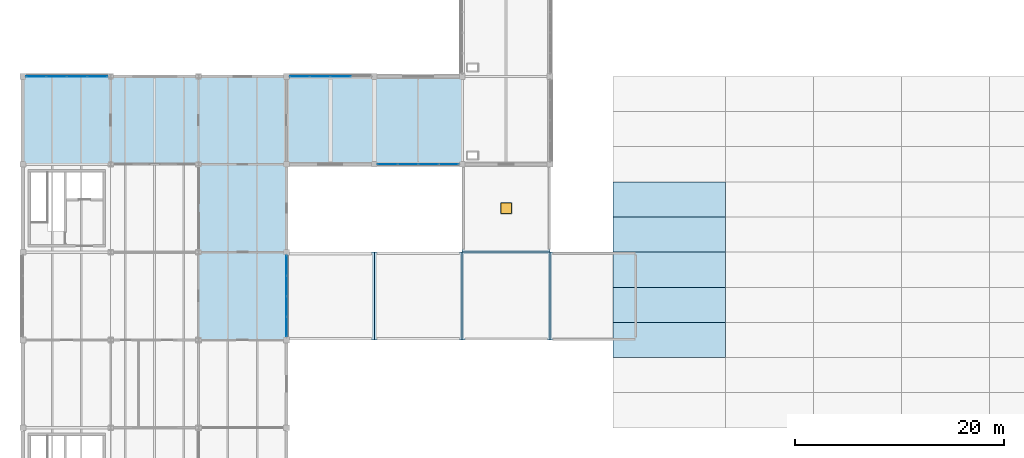
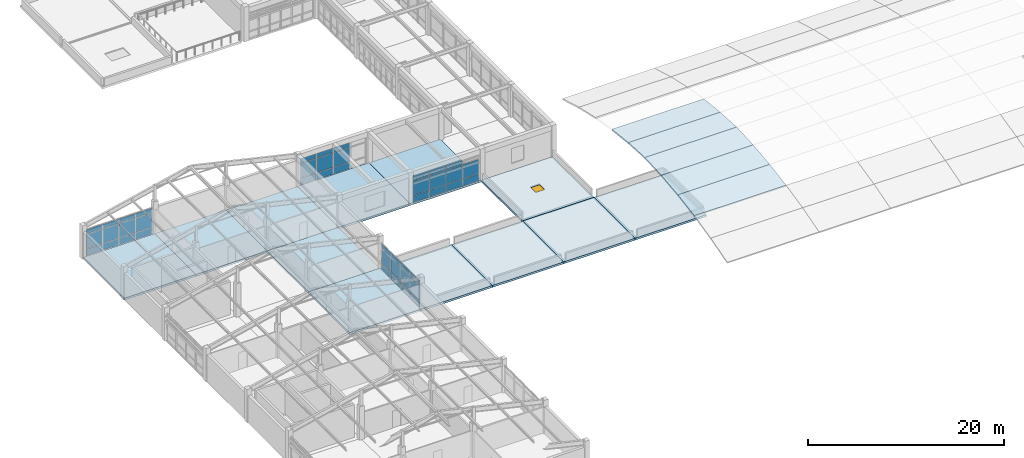
# One storey, part 21 of 40: 44 plates, 17 slabs, 1 window, 1 opening, 4 elements without a shape of their own.
"""IFC4 building model written with IfcOpenShell, lengths in metres."""

from ifc_helpers import new_model, si_unit, direction, frame, origin, origin_2d, place, context, subcontext, project, spatial, polyline, rectangle, outline, extrude, material, layer, layer_set, type_object, element, fill, aggregate, save


model = new_model("IFC4")

# Units and contexts
model_context = context("Model", 3, precision=1e-05, world=origin(), true_north=direction((0.0, 1.0)))
body_context = subcontext(model_context, "Body", "Model", "MODEL_VIEW")
ifc_project = project(units=[si_unit("LENGTHUNIT", "METRE"), si_unit("AREAUNIT", "SQUARE_METRE"), si_unit("VOLUMEUNIT", "CUBIC_METRE"), si_unit("PLANEANGLEUNIT", "RADIAN"), si_unit("MASSUNIT", "GRAM", prefix="KILO")], contexts=[model_context])

# Site, building, storey
site_placement = place(None, origin())
site = spatial("IfcSite", under=ifc_project, at=site_placement, CompositionType="ELEMENT")
building_placement = place(site_placement, origin())
building = spatial("IfcBuilding", under=site, at=building_placement, Name="Porcellanite Civic Hall", CompositionType="ELEMENT")
storey_placement = place(building_placement, frame((0.0, 0.0, 19.080078125)))
storey = spatial("IfcBuildingStorey", under=building, at=storey_placement, Name="L04", CompositionType="ELEMENT", Elevation=19.080078125)

# Curtain wall, plates
ifc_material_1 = material(Name="Anodised aluminium and solar laminated glass", Category="aluminium")
ifc_layer_1 = layer(ifc_material_1, 0.179931640625)
ifc_layer_set_1 = layer_set([ifc_layer_1], Name="Anodised aluminium and solar laminated glass")
curtain_wall_type_1 = type_object("IfcCurtainWallType", Name="CW-SYS05", PredefinedType="NOTDEFINED", material=ifc_layer_set_1)
curtain_wall_1_placement = place(storey_placement, origin())
curtain_wall_1 = element("IfcCurtainWall", 1, at=curtain_wall_1_placement, inside=storey, type_object=curtain_wall_type_1, Name="Curtain wall CW-231", PredefinedType="NOTDEFINED")
ifc_material_2 = material(Name="Cyclone laminated solar-control low-E glass", Category="glass")
ifc_layer_2 = layer(ifc_material_2, 0.028076171875)
ifc_layer_set_2 = layer_set([ifc_layer_2], Name="Cyclone laminated solar-control low-E glass")
plate_type_1 = type_object("IfcPlateType", Name="CWP-03", PredefinedType="CURTAIN_PANEL", material=ifc_layer_set_2)
plate_1_placement = place(storey_placement, frame((9.674560546875, 75.60009765625, 0.059814453125), z_axis=(0.0, 0.0, 1.0), x_axis=(1.0, 0.0, 0.0)))
plate_1 = element("IfcPlate", 2, at=plate_1_placement, type_object=plate_type_1, Name="CW-231 panel 1.1", PredefinedType="CURTAIN_PANEL", context=body_context, shape_type="SweptSolid", body=[
    extrude(rectangle(XDim=1.85693359375, YDim=0.028076171875, at=origin_2d()), origin(), (0.0, 0.0, 1.0), 0.81005859375),
])
plate_2_placement = place(storey_placement, frame((9.674560546875, 75.60009765625, 0.9296875), z_axis=(0.0, 0.0, 1.0), x_axis=(1.0, 0.0, 0.0)))
plate_2 = element("IfcPlate", 3, at=plate_2_placement, type_object=plate_type_1, Name="CW-231 panel 1.2", PredefinedType="CURTAIN_PANEL", context=body_context, shape_type="SweptSolid", body=[
    extrude(rectangle(XDim=1.85693359375, YDim=0.028076171875, at=origin_2d()), origin(), (0.0, 0.0, 1.0), 1.760009765625),
])
plate_3_placement = place(storey_placement, frame((9.674560546875, 75.60009765625, 2.75), z_axis=(0.0, 0.0, 1.0), x_axis=(1.0, 0.0, 0.0)))
plate_3 = element("IfcPlate", 4, at=plate_3_placement, type_object=plate_type_1, Name="CW-231 panel 1.3", PredefinedType="CURTAIN_PANEL", context=body_context, shape_type="SweptSolid", body=[
    extrude(rectangle(XDim=1.85693359375, YDim=0.028076171875, at=origin_2d()), origin(), (0.0, 0.0, 1.0), 0.56005859375),
])
plate_4_placement = place(storey_placement, frame((11.618896484375, 75.60009765625, 0.059814453125), z_axis=(0.0, 0.0, 1.0), x_axis=(1.0, 0.0, 0.0)))
plate_4 = element("IfcPlate", 5, at=plate_4_placement, type_object=plate_type_1, Name="CW-231 panel 2.1", PredefinedType="CURTAIN_PANEL", context=body_context, shape_type="SweptSolid", body=[
    extrude(rectangle(XDim=1.89208984375, YDim=0.028076171875, at=origin_2d()), origin(), (0.0, 0.0, 1.0), 0.81005859375),
])
plate_5_placement = place(storey_placement, frame((11.618896484375, 75.60009765625, 0.9296875), z_axis=(0.0, 0.0, 1.0), x_axis=(1.0, 0.0, 0.0)))
plate_5 = element("IfcPlate", 6, at=plate_5_placement, type_object=plate_type_1, Name="CW-231 panel 2.2", PredefinedType="CURTAIN_PANEL", context=body_context, shape_type="SweptSolid", body=[
    extrude(rectangle(XDim=1.89208984375, YDim=0.028076171875, at=origin_2d()), origin(), (0.0, 0.0, 1.0), 1.760009765625),
])
plate_6_placement = place(storey_placement, frame((11.618896484375, 75.60009765625, 2.75), z_axis=(0.0, 0.0, 1.0), x_axis=(1.0, 0.0, 0.0)))
plate_6 = element("IfcPlate", 7, at=plate_6_placement, type_object=plate_type_1, Name="CW-231 panel 2.3", PredefinedType="CURTAIN_PANEL", context=body_context, shape_type="SweptSolid", body=[
    extrude(rectangle(XDim=1.89208984375, YDim=0.028076171875, at=origin_2d()), origin(), (0.0, 0.0, 1.0), 0.56005859375),
])
plate_7_placement = place(storey_placement, frame((13.5810546875, 75.60009765625, 0.059814453125), z_axis=(0.0, 0.0, 1.0), x_axis=(1.0, 0.0, 0.0)))
plate_7 = element("IfcPlate", 8, at=plate_7_placement, type_object=plate_type_1, Name="CW-231 panel 3.1", PredefinedType="CURTAIN_PANEL", context=body_context, shape_type="SweptSolid", body=[
    extrude(rectangle(XDim=1.89208984375, YDim=0.028076171875, at=origin_2d()), origin(), (0.0, 0.0, 1.0), 0.81005859375),
])
plate_8_placement = place(storey_placement, frame((13.5810546875, 75.60009765625, 0.9296875), z_axis=(0.0, 0.0, 1.0), x_axis=(1.0, 0.0, 0.0)))
plate_8 = element("IfcPlate", 9, at=plate_8_placement, type_object=plate_type_1, Name="CW-231 panel 3.2", PredefinedType="CURTAIN_PANEL", context=body_context, shape_type="SweptSolid", body=[
    extrude(rectangle(XDim=1.89208984375, YDim=0.028076171875, at=origin_2d()), origin(), (0.0, 0.0, 1.0), 1.760009765625),
])
plate_9_placement = place(storey_placement, frame((13.5810546875, 75.60009765625, 2.75), z_axis=(0.0, 0.0, 1.0), x_axis=(1.0, 0.0, 0.0)))
plate_9 = element("IfcPlate", 10, at=plate_9_placement, type_object=plate_type_1, Name="CW-231 panel 3.3", PredefinedType="CURTAIN_PANEL", context=body_context, shape_type="SweptSolid", body=[
    extrude(rectangle(XDim=1.89208984375, YDim=0.028076171875, at=origin_2d()), origin(), (0.0, 0.0, 1.0), 0.56005859375),
])
plate_10_placement = place(storey_placement, frame((15.525390625, 75.60009765625, 0.059814453125), z_axis=(0.0, 0.0, 1.0), x_axis=(1.0, 0.0, 0.0)))
plate_10 = element("IfcPlate", 11, at=plate_10_placement, type_object=plate_type_1, Name="CW-231 panel 4.1", PredefinedType="CURTAIN_PANEL", context=body_context, shape_type="SweptSolid", body=[
    extrude(rectangle(XDim=1.85693359375, YDim=0.028076171875, at=origin_2d()), origin(), (0.0, 0.0, 1.0), 0.81005859375),
])
plate_11_placement = place(storey_placement, frame((15.525390625, 75.60009765625, 0.9296875), z_axis=(0.0, 0.0, 1.0), x_axis=(1.0, 0.0, 0.0)))
plate_11 = element("IfcPlate", 12, at=plate_11_placement, type_object=plate_type_1, Name="CW-231 panel 4.2", PredefinedType="CURTAIN_PANEL", context=body_context, shape_type="SweptSolid", body=[
    extrude(rectangle(XDim=1.85693359375, YDim=0.028076171875, at=origin_2d()), origin(), (0.0, 0.0, 1.0), 1.760009765625),
])
plate_12_placement = place(storey_placement, frame((15.525390625, 75.60009765625, 2.75), z_axis=(0.0, 0.0, 1.0), x_axis=(1.0, 0.0, 0.0)))
plate_12 = element("IfcPlate", 13, at=plate_12_placement, type_object=plate_type_1, Name="CW-231 panel 4.3", PredefinedType="CURTAIN_PANEL", context=body_context, shape_type="SweptSolid", body=[
    extrude(rectangle(XDim=1.85693359375, YDim=0.028076171875, at=origin_2d()), origin(), (0.0, 0.0, 1.0), 0.56005859375),
])
aggregate(curtain_wall_1, [plate_1, plate_2, plate_3, plate_4, plate_5, plate_6, plate_7, plate_8, plate_9, plate_10, plate_11, plate_12])

curtain_wall_2_placement = place(storey_placement, origin())
curtain_wall_2 = element("IfcCurtainWall", 14, at=curtain_wall_2_placement, inside=storey, type_object=curtain_wall_type_1, Name="Curtain wall CW-234", PredefinedType="NOTDEFINED")
plate_13_placement = place(storey_placement, frame((33.60009765625, 57.525390625, 0.059814453125), z_axis=(0.0, 0.0, 1.0), x_axis=(0.0, -1.0, 0.0)))
plate_13 = element("IfcPlate", 15, at=plate_13_placement, type_object=plate_type_1, Name="CW-234 panel 1.1", PredefinedType="CURTAIN_PANEL", context=body_context, shape_type="SweptSolid", body=[
    extrude(rectangle(XDim=1.85693359375, YDim=0.028076171875, at=origin_2d()), origin(), (0.0, 0.0, 1.0), 0.81005859375),
])
plate_14_placement = place(storey_placement, frame((33.60009765625, 57.525390625, 0.9296875), z_axis=(0.0, 0.0, 1.0), x_axis=(0.0, -1.0, 0.0)))
plate_14 = element("IfcPlate", 16, at=plate_14_placement, type_object=plate_type_1, Name="CW-234 panel 1.2", PredefinedType="CURTAIN_PANEL", context=body_context, shape_type="SweptSolid", body=[
    extrude(rectangle(XDim=1.85693359375, YDim=0.028076171875, at=origin_2d()), origin(), (0.0, 0.0, 1.0), 1.760009765625),
])
plate_15_placement = place(storey_placement, frame((33.60009765625, 57.525390625, 2.75), z_axis=(0.0, 0.0, 1.0), x_axis=(0.0, -1.0, 0.0)))
plate_15 = element("IfcPlate", 17, at=plate_15_placement, type_object=plate_type_1, Name="CW-234 panel 1.3", PredefinedType="CURTAIN_PANEL", context=body_context, shape_type="SweptSolid", body=[
    extrude(rectangle(XDim=1.85693359375, YDim=0.028076171875, at=origin_2d()), origin(), (0.0, 0.0, 1.0), 0.56005859375),
])
plate_16_placement = place(storey_placement, frame((33.60009765625, 55.5810546875, 0.059814453125), z_axis=(0.0, 0.0, 1.0), x_axis=(0.0, -1.0, 0.0)))
plate_16 = element("IfcPlate", 18, at=plate_16_placement, type_object=plate_type_1, Name="CW-234 panel 2.1", PredefinedType="CURTAIN_PANEL", context=body_context, shape_type="SweptSolid", body=[
    extrude(rectangle(XDim=1.89208984375, YDim=0.028076171875, at=origin_2d()), origin(), (0.0, 0.0, 1.0), 0.81005859375),
])
plate_17_placement = place(storey_placement, frame((33.60009765625, 55.5810546875, 0.9296875), z_axis=(0.0, 0.0, 1.0), x_axis=(0.0, -1.0, 0.0)))
plate_17 = element("IfcPlate", 19, at=plate_17_placement, type_object=plate_type_1, Name="CW-234 panel 2.2", PredefinedType="CURTAIN_PANEL", context=body_context, shape_type="SweptSolid", body=[
    extrude(rectangle(XDim=1.89208984375, YDim=0.028076171875, at=origin_2d()), origin(), (0.0, 0.0, 1.0), 1.760009765625),
])
plate_18_placement = place(storey_placement, frame((33.60009765625, 55.5810546875, 2.75), z_axis=(0.0, 0.0, 1.0), x_axis=(0.0, -1.0, 0.0)))
plate_18 = element("IfcPlate", 20, at=plate_18_placement, type_object=plate_type_1, Name="CW-234 panel 2.3", PredefinedType="CURTAIN_PANEL", context=body_context, shape_type="SweptSolid", body=[
    extrude(rectangle(XDim=1.89208984375, YDim=0.028076171875, at=origin_2d()), origin(), (0.0, 0.0, 1.0), 0.56005859375),
])
plate_19_placement = place(storey_placement, frame((33.60009765625, 53.618896484375, 0.059814453125), z_axis=(0.0, 0.0, 1.0), x_axis=(0.0, -1.0, 0.0)))
plate_19 = element("IfcPlate", 21, at=plate_19_placement, type_object=plate_type_1, Name="CW-234 panel 3.1", PredefinedType="CURTAIN_PANEL", context=body_context, shape_type="SweptSolid", body=[
    extrude(rectangle(XDim=1.89208984375, YDim=0.028076171875, at=origin_2d()), origin(), (0.0, 0.0, 1.0), 0.81005859375),
])
plate_20_placement = place(storey_placement, frame((33.60009765625, 53.618896484375, 0.9296875), z_axis=(0.0, 0.0, 1.0), x_axis=(0.0, -1.0, 0.0)))
plate_20 = element("IfcPlate", 22, at=plate_20_placement, type_object=plate_type_1, Name="CW-234 panel 3.2", PredefinedType="CURTAIN_PANEL", context=body_context, shape_type="SweptSolid", body=[
    extrude(rectangle(XDim=1.89208984375, YDim=0.028076171875, at=origin_2d()), origin(), (0.0, 0.0, 1.0), 1.760009765625),
])
plate_21_placement = place(storey_placement, frame((33.60009765625, 53.618896484375, 2.75), z_axis=(0.0, 0.0, 1.0), x_axis=(0.0, -1.0, 0.0)))
plate_21 = element("IfcPlate", 23, at=plate_21_placement, type_object=plate_type_1, Name="CW-234 panel 3.3", PredefinedType="CURTAIN_PANEL", context=body_context, shape_type="SweptSolid", body=[
    extrude(rectangle(XDim=1.89208984375, YDim=0.028076171875, at=origin_2d()), origin(), (0.0, 0.0, 1.0), 0.56005859375),
])
plate_22_placement = place(storey_placement, frame((33.60009765625, 51.674560546875, 0.059814453125), z_axis=(0.0, 0.0, 1.0), x_axis=(0.0, -1.0, 0.0)))
plate_22 = element("IfcPlate", 24, at=plate_22_placement, type_object=plate_type_1, Name="CW-234 panel 4.1", PredefinedType="CURTAIN_PANEL", context=body_context, shape_type="SweptSolid", body=[
    extrude(rectangle(XDim=1.85693359375, YDim=0.028076171875, at=origin_2d()), origin(), (0.0, 0.0, 1.0), 0.81005859375),
])
plate_23_placement = place(storey_placement, frame((33.60009765625, 51.674560546875, 0.9296875), z_axis=(0.0, 0.0, 1.0), x_axis=(0.0, -1.0, 0.0)))
plate_23 = element("IfcPlate", 25, at=plate_23_placement, type_object=plate_type_1, Name="CW-234 panel 4.2", PredefinedType="CURTAIN_PANEL", context=body_context, shape_type="SweptSolid", body=[
    extrude(rectangle(XDim=1.85693359375, YDim=0.028076171875, at=origin_2d()), origin(), (0.0, 0.0, 1.0), 1.760009765625),
])
plate_24_placement = place(storey_placement, frame((33.60009765625, 51.674560546875, 2.75), z_axis=(0.0, 0.0, 1.0), x_axis=(0.0, -1.0, 0.0)))
plate_24 = element("IfcPlate", 26, at=plate_24_placement, type_object=plate_type_1, Name="CW-234 panel 4.3", PredefinedType="CURTAIN_PANEL", context=body_context, shape_type="SweptSolid", body=[
    extrude(rectangle(XDim=1.85693359375, YDim=0.028076171875, at=origin_2d()), origin(), (0.0, 0.0, 1.0), 0.56005859375),
])
aggregate(curtain_wall_2, [plate_13, plate_14, plate_15, plate_16, plate_17, plate_18, plate_19, plate_20, plate_21, plate_22, plate_23, plate_24])

ifc_material_3 = material(Name="Anodised aluminium and solar laminated glass", Category="aluminium")
ifc_layer_3 = layer(ifc_material_3, 0.179931640625)
ifc_layer_set_3 = layer_set([ifc_layer_3], Name="Anodised aluminium and solar laminated glass")
curtain_wall_type_2 = type_object("IfcCurtainWallType", Name="CW-SYS04", PredefinedType="NOTDEFINED", material=ifc_layer_set_3)
curtain_wall_3_placement = place(storey_placement, origin())
curtain_wall_3 = element("IfcCurtainWall", 27, at=curtain_wall_3_placement, inside=storey, type_object=curtain_wall_type_2, Name="Curtain wall CW-235", PredefinedType="NOTDEFINED")
ifc_material_4 = material(Name="Cyclone laminated solar-control low-E glass", Category="glass")
ifc_layer_4 = layer(ifc_material_4, 0.033935546875)
ifc_layer_set_4 = layer_set([ifc_layer_4], Name="Cyclone laminated solar-control low-E glass")
plate_type_2 = type_object("IfcPlateType", Name="CWP-06", PredefinedType="CURTAIN_PANEL", material=ifc_layer_set_4)
plate_25_placement = place(storey_placement, frame((34.875732421875, 75.60009765625, 0.054931640625), z_axis=(0.0, 0.0, 1.0), x_axis=(1.0, 0.0, 0.0)))
plate_25 = element("IfcPlate", 28, at=plate_25_placement, type_object=plate_type_2, Name="CW-235 panel 1.1", PredefinedType="CURTAIN_PANEL", context=body_context, shape_type="SweptSolid", body=[
    extrude(rectangle(XDim=1.849609375, YDim=0.033935546875, at=origin_2d()), origin(), (0.0, 0.0, 1.0), 0.8173828125),
])
plate_26_placement = place(storey_placement, frame((34.875732421875, 75.60009765625, 0.92724609375), z_axis=(0.0, 0.0, 1.0), x_axis=(1.0, 0.0, 0.0)))
plate_26 = element("IfcPlate", 29, at=plate_26_placement, type_object=plate_type_2, Name="CW-235 panel 1.2", PredefinedType="CURTAIN_PANEL", context=body_context, shape_type="SweptSolid", body=[
    extrude(rectangle(XDim=1.849609375, YDim=0.033935546875, at=origin_2d()), origin(), (0.0, 0.0, 1.0), 1.764892578125),
])
plate_27_placement = place(storey_placement, frame((34.875732421875, 75.60009765625, 2.74755859375), z_axis=(0.0, 0.0, 1.0), x_axis=(1.0, 0.0, 0.0)))
plate_27 = element("IfcPlate", 30, at=plate_27_placement, type_object=plate_type_2, Name="CW-235 panel 1.3", PredefinedType="CURTAIN_PANEL", context=body_context, shape_type="SweptSolid", body=[
    extrude(rectangle(XDim=1.849609375, YDim=0.033935546875, at=origin_2d()), origin(), (0.0, 0.0, 1.0), 0.5673828125),
])
plate_28_placement = place(storey_placement, frame((36.819091796875, 75.60009765625, 0.054931640625), z_axis=(0.0, 0.0, 1.0), x_axis=(1.0, 0.0, 0.0)))
plate_28 = element("IfcPlate", 31, at=plate_28_placement, type_object=plate_type_2, Name="CW-235 panel 2.1", PredefinedType="CURTAIN_PANEL", context=body_context, shape_type="SweptSolid", body=[
    extrude(rectangle(XDim=1.886962890625, YDim=0.033935546875, at=origin_2d()), origin(), (0.0, 0.0, 1.0), 0.8173828125),
])
plate_29_placement = place(storey_placement, frame((36.819091796875, 75.60009765625, 0.92724609375), z_axis=(0.0, 0.0, 1.0), x_axis=(1.0, 0.0, 0.0)))
plate_29 = element("IfcPlate", 32, at=plate_29_placement, type_object=plate_type_2, Name="CW-235 panel 2.2", PredefinedType="CURTAIN_PANEL", context=body_context, shape_type="SweptSolid", body=[
    extrude(rectangle(XDim=1.886962890625, YDim=0.033935546875, at=origin_2d()), origin(), (0.0, 0.0, 1.0), 1.764892578125),
])
plate_30_placement = place(storey_placement, frame((36.819091796875, 75.60009765625, 2.74755859375), z_axis=(0.0, 0.0, 1.0), x_axis=(1.0, 0.0, 0.0)))
plate_30 = element("IfcPlate", 33, at=plate_30_placement, type_object=plate_type_2, Name="CW-235 panel 2.3", PredefinedType="CURTAIN_PANEL", context=body_context, shape_type="SweptSolid", body=[
    extrude(rectangle(XDim=1.886962890625, YDim=0.033935546875, at=origin_2d()), origin(), (0.0, 0.0, 1.0), 0.5673828125),
])
plate_31_placement = place(storey_placement, frame((38.781005859375, 75.60009765625, 0.054931640625), z_axis=(0.0, 0.0, 1.0), x_axis=(1.0, 0.0, 0.0)))
plate_31 = element("IfcPlate", 34, at=plate_31_placement, type_object=plate_type_2, Name="CW-235 panel 3.1", PredefinedType="CURTAIN_PANEL", context=body_context, shape_type="SweptSolid", body=[
    extrude(rectangle(XDim=1.886962890625, YDim=0.033935546875, at=origin_2d()), origin(), (0.0, 0.0, 1.0), 0.8173828125),
])
plate_32_placement = place(storey_placement, frame((38.781005859375, 75.60009765625, 0.92724609375), z_axis=(0.0, 0.0, 1.0), x_axis=(1.0, 0.0, 0.0)))
plate_32 = element("IfcPlate", 35, at=plate_32_placement, type_object=plate_type_2, Name="CW-235 panel 3.2", PredefinedType="CURTAIN_PANEL", context=body_context, shape_type="SweptSolid", body=[
    extrude(rectangle(XDim=1.886962890625, YDim=0.033935546875, at=origin_2d()), origin(), (0.0, 0.0, 1.0), 1.764892578125),
])
plate_33_placement = place(storey_placement, frame((38.781005859375, 75.60009765625, 2.74755859375), z_axis=(0.0, 0.0, 1.0), x_axis=(1.0, 0.0, 0.0)))
plate_33 = element("IfcPlate", 36, at=plate_33_placement, type_object=plate_type_2, Name="CW-235 panel 3.3", PredefinedType="CURTAIN_PANEL", context=body_context, shape_type="SweptSolid", body=[
    extrude(rectangle(XDim=1.886962890625, YDim=0.033935546875, at=origin_2d()), origin(), (0.0, 0.0, 1.0), 0.5673828125),
])
aggregate(curtain_wall_3, [plate_25, plate_26, plate_27, plate_28, plate_29, plate_30, plate_31, plate_32, plate_33])

ifc_material_5 = material(Name="Anodised aluminium and solar laminated glass", Category="aluminium")
ifc_layer_5 = layer(ifc_material_5, 0.179931640625)
ifc_layer_set_5 = layer_set([ifc_layer_5], Name="Anodised aluminium and solar laminated glass")
curtain_wall_type_3 = type_object("IfcCurtainWallType", Name="CW-SYS06", PredefinedType="NOTDEFINED", material=ifc_layer_set_5)
curtain_wall_4_placement = place(storey_placement, origin())
curtain_wall_4 = element("IfcCurtainWall", 37, at=curtain_wall_4_placement, inside=storey, type_object=curtain_wall_type_3, Name="Curtain wall CW-236", PredefinedType="NOTDEFINED")
ifc_material_6 = material(Name="Cyclone laminated solar-control low-E glass", Category="glass")
ifc_layer_6 = layer(ifc_material_6, 0.035888671875)
ifc_layer_set_6 = layer_set([ifc_layer_6], Name="Cyclone laminated solar-control low-E glass")
plate_type_3 = type_object("IfcPlateType", Name="CWP-07", PredefinedType="CURTAIN_PANEL", material=ifc_layer_set_6)
plate_34_placement = place(storey_placement, frame((49.126708984375, 67.199951171875, 0.0498046875), z_axis=(0.0, 0.0, 1.0), x_axis=(-1.0, 0.0, 0.0)))
plate_34 = element("IfcPlate", 38, at=plate_34_placement, type_object=plate_type_3, Name="CW-236 panel 1.1", PredefinedType="CURTAIN_PANEL", context=body_context, shape_type="SweptSolid", body=[
    extrude(rectangle(XDim=1.864501953125, YDim=0.035888671875, at=origin_2d()), origin(), (0.0, 0.0, 1.0), 0.824951171875),
])
plate_35_placement = place(storey_placement, frame((49.126708984375, 67.199951171875, 0.9248046875), z_axis=(0.0, 0.0, 1.0), x_axis=(-1.0, 0.0, 0.0)))
plate_35 = element("IfcPlate", 39, at=plate_35_placement, type_object=plate_type_3, Name="CW-236 panel 1.2", PredefinedType="CURTAIN_PANEL", context=body_context, shape_type="SweptSolid", body=[
    extrude(rectangle(XDim=1.864501953125, YDim=0.035888671875, at=origin_2d()), origin(), (0.0, 0.0, 1.0), 1.77001953125),
])
plate_36_placement = place(storey_placement, frame((47.180908203125, 67.199951171875, 0.0498046875), z_axis=(0.0, 0.0, 1.0), x_axis=(-1.0, 0.0, 0.0)))
plate_36 = element("IfcPlate", 40, at=plate_36_placement, type_object=plate_type_3, Name="CW-236 panel 2.1", PredefinedType="CURTAIN_PANEL", context=body_context, shape_type="SweptSolid", body=[
    extrude(rectangle(XDim=1.89697265625, YDim=0.035888671875, at=origin_2d()), origin(), (0.0, 0.0, 1.0), 0.824951171875),
])
plate_37_placement = place(storey_placement, frame((47.180908203125, 67.199951171875, 0.9248046875), z_axis=(0.0, 0.0, 1.0), x_axis=(-1.0, 0.0, 0.0)))
plate_37 = element("IfcPlate", 41, at=plate_37_placement, type_object=plate_type_3, Name="CW-236 panel 2.2", PredefinedType="CURTAIN_PANEL", context=body_context, shape_type="SweptSolid", body=[
    extrude(rectangle(XDim=1.89697265625, YDim=0.035888671875, at=origin_2d()), origin(), (0.0, 0.0, 1.0), 1.77001953125),
])
plate_38_placement = place(storey_placement, frame((47.180908203125, 67.199951171875, 2.7451171875), z_axis=(0.0, 0.0, 1.0), x_axis=(-1.0, 0.0, 0.0)))
plate_38 = element("IfcPlate", 42, at=plate_38_placement, type_object=plate_type_3, Name="CW-236 panel 2.3", PredefinedType="CURTAIN_PANEL", context=body_context, shape_type="SweptSolid", body=[
    extrude(rectangle(XDim=1.89697265625, YDim=0.035888671875, at=origin_2d()), origin(), (0.0, 0.0, 1.0), 0.574951171875),
])
plate_39_placement = place(storey_placement, frame((45.218994140625, 67.199951171875, 0.0498046875), z_axis=(0.0, 0.0, 1.0), x_axis=(-1.0, 0.0, 0.0)))
plate_39 = element("IfcPlate", 43, at=plate_39_placement, type_object=plate_type_3, Name="CW-236 panel 3.1", PredefinedType="CURTAIN_PANEL", context=body_context, shape_type="SweptSolid", body=[
    extrude(rectangle(XDim=1.89697265625, YDim=0.035888671875, at=origin_2d()), origin(), (0.0, 0.0, 1.0), 0.824951171875),
])
plate_40_placement = place(storey_placement, frame((45.218994140625, 67.199951171875, 0.9248046875), z_axis=(0.0, 0.0, 1.0), x_axis=(-1.0, 0.0, 0.0)))
plate_40 = element("IfcPlate", 44, at=plate_40_placement, type_object=plate_type_3, Name="CW-236 panel 3.2", PredefinedType="CURTAIN_PANEL", context=body_context, shape_type="SweptSolid", body=[
    extrude(rectangle(XDim=1.89697265625, YDim=0.035888671875, at=origin_2d()), origin(), (0.0, 0.0, 1.0), 1.77001953125),
])
plate_41_placement = place(storey_placement, frame((45.218994140625, 67.199951171875, 2.7451171875), z_axis=(0.0, 0.0, 1.0), x_axis=(-1.0, 0.0, 0.0)))
plate_41 = element("IfcPlate", 45, at=plate_41_placement, type_object=plate_type_3, Name="CW-236 panel 3.3", PredefinedType="CURTAIN_PANEL", context=body_context, shape_type="SweptSolid", body=[
    extrude(rectangle(XDim=1.89697265625, YDim=0.035888671875, at=origin_2d()), origin(), (0.0, 0.0, 1.0), 0.574951171875),
])
plate_42_placement = place(storey_placement, frame((43.273193359375, 67.199951171875, 0.0498046875), z_axis=(0.0, 0.0, 1.0), x_axis=(-1.0, 0.0, 0.0)))
plate_42 = element("IfcPlate", 46, at=plate_42_placement, type_object=plate_type_3, Name="CW-236 panel 4.1", PredefinedType="CURTAIN_PANEL", context=body_context, shape_type="SweptSolid", body=[
    extrude(rectangle(XDim=1.864501953125, YDim=0.035888671875, at=origin_2d()), origin(), (0.0, 0.0, 1.0), 0.824951171875),
])
plate_43_placement = place(storey_placement, frame((43.273193359375, 67.199951171875, 0.9248046875), z_axis=(0.0, 0.0, 1.0), x_axis=(-1.0, 0.0, 0.0)))
plate_43 = element("IfcPlate", 47, at=plate_43_placement, type_object=plate_type_3, Name="CW-236 panel 4.2", PredefinedType="CURTAIN_PANEL", context=body_context, shape_type="SweptSolid", body=[
    extrude(rectangle(XDim=1.864501953125, YDim=0.035888671875, at=origin_2d()), origin(), (0.0, 0.0, 1.0), 1.77001953125),
])
plate_44_placement = place(storey_placement, frame((43.273193359375, 67.199951171875, 2.7451171875), z_axis=(0.0, 0.0, 1.0), x_axis=(-1.0, 0.0, 0.0)))
plate_44 = element("IfcPlate", 48, at=plate_44_placement, type_object=plate_type_3, Name="CW-236 panel 4.3", PredefinedType="CURTAIN_PANEL", context=body_context, shape_type="SweptSolid", body=[
    extrude(rectangle(XDim=1.864501953125, YDim=0.035888671875, at=origin_2d()), origin(), (0.0, 0.0, 1.0), 0.574951171875),
])
aggregate(curtain_wall_4, [plate_34, plate_35, plate_36, plate_37, plate_38, plate_39, plate_40, plate_41, plate_42, plate_43, plate_44])

# Slabs
ifc_material_7 = material(Name="Concrete N40 (40 MPa)", Category="concrete")
ifc_layer_7 = layer(ifc_material_7, 0.25)
ifc_layer_set_7 = layer_set([ifc_layer_7], Name="Concrete N40 (40 MPa)")
slab_type_1 = type_object("IfcSlabType", Name="SL-FL250", PredefinedType="FLOOR", material=ifc_layer_set_7)
slab_1_placement = place(storey_placement, frame((0.0, 0.0, -0.25)))
element("IfcSlab", 49, at=slab_1_placement, inside=storey, type_object=slab_type_1, Name="Slab L04 bay 2-9", PredefinedType="FLOOR", context=body_context, shape_type="SweptSolid", body=[
    extrude(outline(polyline([(8.39990234375, 67.199951171875), (16.800048828125, 67.199951171875), (16.800048828125, 75.60009765625), (8.39990234375, 75.60009765625), (8.39990234375, 67.199951171875)])), origin(), (0.0, 0.0, 1.0), 0.25),
])
slab_2_placement = place(storey_placement, frame((0.0, 0.0, -0.25)))
element("IfcSlab", 50, at=slab_2_placement, inside=storey, type_object=slab_type_1, Name="Slab L04 bay 3-9", PredefinedType="FLOOR", context=body_context, shape_type="SweptSolid", body=[
    extrude(outline(polyline([(16.800048828125, 67.199951171875), (25.199951171875, 67.199951171875), (25.199951171875, 75.60009765625), (16.800048828125, 75.60009765625), (16.800048828125, 67.199951171875)])), origin(), (0.0, 0.0, 1.0), 0.25),
])
slab_3_placement = place(storey_placement, frame((0.0, 0.0, -0.25)))
element("IfcSlab", 51, at=slab_3_placement, inside=storey, type_object=slab_type_1, Name="Slab L04 bay 4-7", PredefinedType="FLOOR", context=body_context, shape_type="SweptSolid", body=[
    extrude(outline(polyline([(25.199951171875, 50.39990234375), (33.60009765625, 50.39990234375), (33.60009765625, 58.800048828125), (25.199951171875, 58.800048828125), (25.199951171875, 50.39990234375)])), origin(), (0.0, 0.0, 1.0), 0.25),
])
slab_4_placement = place(storey_placement, frame((0.0, 0.0, -0.25)))
element("IfcSlab", 52, at=slab_4_placement, inside=storey, type_object=slab_type_1, Name="Slab L04 bay 4-8", PredefinedType="FLOOR", context=body_context, shape_type="SweptSolid", body=[
    extrude(outline(polyline([(25.199951171875, 58.800048828125), (33.60009765625, 58.800048828125), (33.60009765625, 67.199951171875), (25.199951171875, 67.199951171875), (25.199951171875, 58.800048828125)])), origin(), (0.0, 0.0, 1.0), 0.25),
])
slab_5_placement = place(storey_placement, frame((0.0, 0.0, -0.25)))
element("IfcSlab", 53, at=slab_5_placement, inside=storey, type_object=slab_type_1, Name="Slab L04 bay 4-9", PredefinedType="FLOOR", context=body_context, shape_type="SweptSolid", body=[
    extrude(outline(polyline([(25.199951171875, 67.199951171875), (33.60009765625, 67.199951171875), (33.60009765625, 75.60009765625), (25.199951171875, 75.60009765625), (25.199951171875, 67.199951171875)])), origin(), (0.0, 0.0, 1.0), 0.25),
])
slab_6_placement = place(storey_placement, frame((0.0, 0.0, -0.25)))
element("IfcSlab", 54, at=slab_6_placement, inside=storey, type_object=slab_type_1, Name="Slab L04 bay 5-9", PredefinedType="FLOOR", context=body_context, shape_type="SweptSolid", body=[
    extrude(outline(polyline([(33.60009765625, 67.199951171875), (42.0, 67.199951171875), (42.0, 75.60009765625), (33.60009765625, 75.60009765625), (33.60009765625, 67.199951171875)])), origin(), (0.0, 0.0, 1.0), 0.25),
])
slab_7_placement = place(storey_placement, frame((0.0, 0.0, -0.25)))
element("IfcSlab", 55, at=slab_7_placement, inside=storey, type_object=slab_type_1, Name="Slab L04 bay 6-9", PredefinedType="FLOOR", context=body_context, shape_type="SweptSolid", body=[
    extrude(outline(polyline([(42.0, 67.199951171875), (50.39990234375, 67.199951171875), (50.39990234375, 75.60009765625), (42.0, 75.60009765625), (42.0, 67.199951171875)])), origin(), (0.0, 0.0, 1.0), 0.25),
])
ifc_material_8 = material(Name="Concrete N40 (40 MPa)", Category="concrete")
ifc_layer_8 = layer(ifc_material_8, 0.25)
ifc_layer_set_8 = layer_set([ifc_layer_8], Name="Concrete N40 (40 MPa)")
slab_type_2 = type_object("IfcSlabType", Name="SL-RF250", PredefinedType="ROOF", material=ifc_layer_set_8)
slab_8_placement = place(storey_placement, frame((0.0, 0.0, -0.25)))
element("IfcSlab", 56, at=slab_8_placement, inside=storey, type_object=slab_type_2, Name="Roof slab L04 5-7", PredefinedType="ROOF", context=body_context, shape_type="SweptSolid", body=[
    extrude(outline(polyline([(33.60009765625, 50.39990234375), (42.0, 50.39990234375), (42.0, 58.800048828125), (33.60009765625, 58.800048828125), (33.60009765625, 50.39990234375)])), origin(), (0.0, 0.0, 1.0), 0.25),
])
slab_9_placement = place(storey_placement, frame((0.0, 0.0, -0.25)))
element("IfcSlab", 57, at=slab_9_placement, inside=storey, type_object=slab_type_2, Name="Roof slab L04 6-7", PredefinedType="ROOF", context=body_context, shape_type="SweptSolid", body=[
    extrude(outline(polyline([(42.0, 50.39990234375), (50.39990234375, 50.39990234375), (50.39990234375, 58.800048828125), (42.0, 58.800048828125), (42.0, 50.39990234375)])), origin(), (0.0, 0.0, 1.0), 0.25),
])
slab_10_placement = place(storey_placement, frame((0.0, 0.0, -0.25)))
element("IfcSlab", 58, at=slab_10_placement, inside=storey, type_object=slab_type_2, Name="Roof slab L04 7-7", PredefinedType="ROOF", context=body_context, shape_type="SweptSolid", body=[
    extrude(outline(polyline([(50.39990234375, 50.39990234375), (58.800048828125, 50.39990234375), (58.800048828125, 58.800048828125), (50.39990234375, 58.800048828125), (50.39990234375, 50.39990234375)])), origin(), (0.0, 0.0, 1.0), 0.25),
])

# Slab, opening, window
slab_11_placement = place(storey_placement, frame((0.0, 0.0, -0.25)))
slab_11 = element("IfcSlab", 59, at=slab_11_placement, inside=storey, type_object=slab_type_2, Name="Roof slab L04 7-8", PredefinedType="ROOF", context=body_context, shape_type="SweptSolid", body=[
    extrude(outline(polyline([(50.39990234375, 58.800048828125), (58.800048828125, 58.800048828125), (58.800048828125, 67.199951171875), (50.39990234375, 67.199951171875), (50.39990234375, 58.800048828125)])), origin(), (0.0, 0.0, 1.0), 0.25),
])
opening_placement = place(slab_11_placement, frame((54.60009765625, 63.0, 0.0)))
opening = element("IfcOpeningElement", 60, at=opening_placement, cuts=slab_11, Name="Opening SK6", PredefinedType="OPENING", context=body_context, shape_type="SweptSolid", body=[
    extrude(rectangle(XDim=1.0, YDim=1.0, at=origin_2d()), origin(), (0.0, 0.0, 1.0), 0.25),
])
ifc_material_9 = material(Name="Cyclone laminated low-E glazing in anodised aluminium frame", Category="aluminium")
window_type = type_object("IfcWindowType", Name="SK-06", PartitioningType="SINGLE_PANEL", PredefinedType="SKYLIGHT", material=ifc_material_9)
window_placement = place(opening_placement, frame((0.0, 0.0, 0.199951171875)))
window = element("IfcWindow", 61, at=window_placement, inside=storey, type_object=window_type, Name="Roof skylight SK6 L04 7-8", OverallHeight=1.0, OverallWidth=1.0, PartitioningType="SINGLE_PANEL", PredefinedType="SKYLIGHT", context=body_context, shape_type="SweptSolid", body=[
    extrude(rectangle(XDim=1.0, YDim=1.0, at=origin_2d()), origin(), (0.0, 0.0, 1.0), 0.050048828125),
])
fill(opening, window)

# Slabs
slab_12_placement = place(storey_placement, frame((0.0, 0.0, -0.25)))
element("IfcSlab", 62, at=slab_12_placement, inside=storey, type_object=slab_type_2, Name="Roof slab L04 8-7", PredefinedType="ROOF", context=body_context, shape_type="SweptSolid", body=[
    extrude(outline(polyline([(58.800048828125, 50.39990234375), (67.199951171875, 50.39990234375), (67.199951171875, 58.800048828125), (58.800048828125, 58.800048828125), (58.800048828125, 50.39990234375)])), origin(), (0.0, 0.0, 1.0), 0.25),
])
ifc_material_10 = material(Name="Concrete N40 (40 MPa)", Category="concrete")
ifc_layer_9 = layer(ifc_material_10, 0.179931640625)
ifc_layer_set_9 = layer_set([ifc_layer_9], Name="Concrete N40 (40 MPa)")
slab_type_3 = type_object("IfcSlabType", Name="SL-SHELL180", PredefinedType="ROOF", material=ifc_layer_set_9)
slab_13_placement = place(storey_placement, frame((64.800048828125, 48.719970703125, 1.726806640625), z_axis=(0.0, -0.166780084987, 0.985994119278), x_axis=(1.0, 0.0, 0.0)))
element("IfcSlab", 63, at=slab_13_placement, inside=storey, type_object=slab_type_3, Name="Council Chamber concrete shell facet 8 3", PredefinedType="ROOF", context=body_context, shape_type="SweptSolid", body=[
    extrude(outline(polyline([(0.0, 0.0), (10.800048828125, 0.0), (10.800048828125, 3.407837182978355), (0.0, 3.407837182978355), (0.0, 0.0)])), origin(), (0.0, 0.0, -1.0), 0.179931640625),
])
slab_14_placement = place(storey_placement, frame((64.800048828125, 52.080078125, 2.295166015625), z_axis=(0.0, -0.111422176271, 0.993773162565), x_axis=(1.0, 0.0, 0.0)))
element("IfcSlab", 64, at=slab_14_placement, inside=storey, type_object=slab_type_3, Name="Council Chamber concrete shell facet 8 4", PredefinedType="ROOF", context=body_context, shape_type="SweptSolid", body=[
    extrude(outline(polyline([(0.0, 0.0), (10.800048828125, 0.0), (10.800048828125, 3.380915693654733), (0.0, 3.380915693654733), (0.0, 0.0)])), origin(), (0.0, 0.0, -1.0), 0.179931640625),
])
slab_15_placement = place(storey_placement, frame((64.800048828125, 55.43994140625, 2.671875), z_axis=(0.0, -0.055859750157, 0.998438625211), x_axis=(1.0, 0.0, 0.0)))
element("IfcSlab", 65, at=slab_15_placement, inside=storey, type_object=slab_type_3, Name="Council Chamber concrete shell facet 8 5", PredefinedType="ROOF", context=body_context, shape_type="SweptSolid", body=[
    extrude(outline(polyline([(0.0, 0.0), (10.800048828125, 0.0), (10.800048828125, 3.3653620132798174), (0.0, 3.3653620132798174), (0.0, 0.0)])), origin(), (0.0, 0.0, -1.0), 0.179931640625),
])
slab_16_placement = place(storey_placement, frame((64.800048828125, 58.800048828125, 2.85986328125), z_axis=(0.0, 0.055863796475, 0.998438398823), x_axis=(1.0, 0.0, 0.0)))
element("IfcSlab", 66, at=slab_16_placement, inside=storey, type_object=slab_type_3, Name="Council Chamber concrete shell facet 8 6", PredefinedType="ROOF", context=body_context, shape_type="SweptSolid", body=[
    extrude(outline(polyline([(0.0, 0.0), (10.800048828125, 0.0), (10.800048828125, 3.3651182538774687), (0.0, 3.3651182538774687), (0.0, 0.0)])), origin(), (0.0, 0.0, -1.0), 0.179931640625),
])
slab_17_placement = place(storey_placement, frame((64.800048828125, 62.159912109375, 2.671875), z_axis=(0.0, 0.111414180991, 0.993774058966), x_axis=(1.0, 0.0, 0.0)))
element("IfcSlab", 67, at=slab_17_placement, inside=storey, type_object=slab_type_3, Name="Council Chamber concrete shell facet 8 7", PredefinedType="ROOF", context=body_context, shape_type="SweptSolid", body=[
    extrude(outline(polyline([(0.0, 0.0), (10.800048828125, 0.0), (10.800048828125, 3.381158314165178), (0.0, 3.381158314165178), (0.0, 0.0)])), origin(), (0.0, 0.0, -1.0), 0.179931640625),
])

save(model, "model.ifc")
